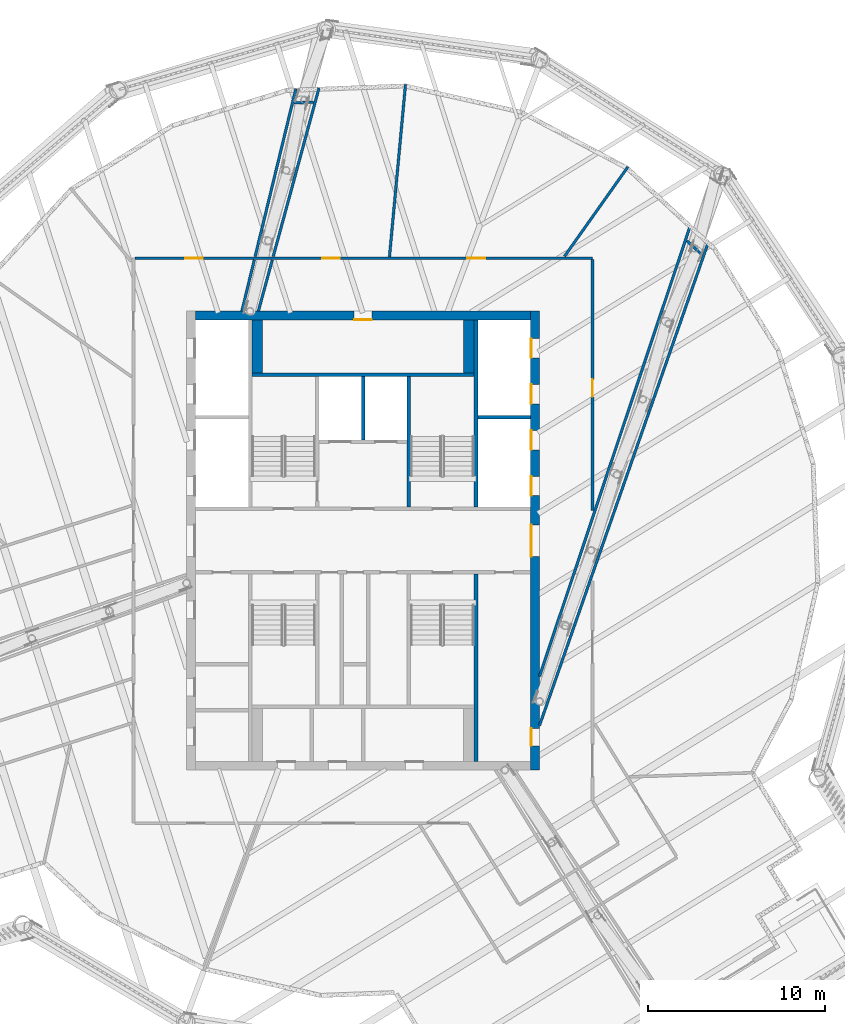
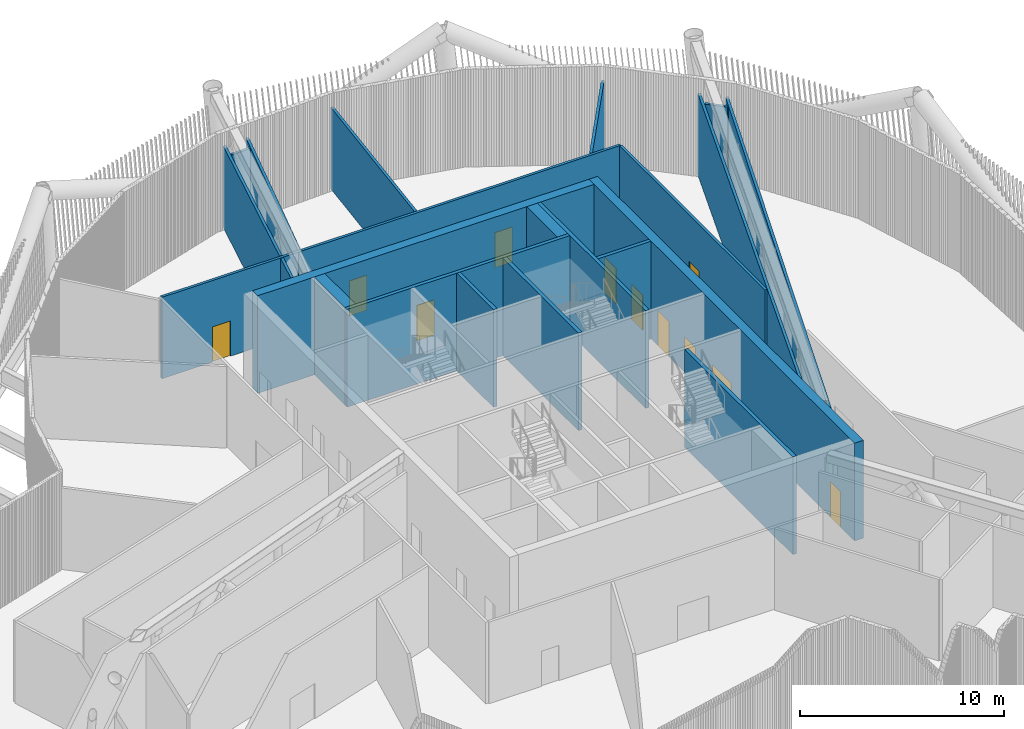
# One storey, part 15 of 40: 22 walls, 11 doors, 11 openings.
"""IFC4 building model written with IfcOpenShell, lengths in metres."""

from ifc_helpers import new_model, si_unit, direction, frame, frame_2d, origin, place, context, subcontext, project, spatial, rectangle, extrude, material, layer, layer_set, type_object, element, fill, save


model = new_model("IFC4")

# Units and contexts
model_context = context("Model", 3, precision=1e-05, world=origin(), true_north=direction((0.0, 1.0)))
body_context = subcontext(model_context, "Body", "Model", "MODEL_VIEW")
ifc_project = project(units=[si_unit("LENGTHUNIT", "METRE"), si_unit("AREAUNIT", "SQUARE_METRE"), si_unit("VOLUMEUNIT", "CUBIC_METRE"), si_unit("PLANEANGLEUNIT", "RADIAN"), si_unit("MASSUNIT", "GRAM", prefix="KILO")], contexts=[model_context])

# Site, building, storey
site_placement = place(None, origin())
site = spatial("IfcSite", under=ifc_project, at=site_placement, CompositionType="ELEMENT")
building_placement = place(site_placement, origin())
building = spatial("IfcBuilding", under=site, at=building_placement, Name="Tarsis Ring Headquarters", CompositionType="ELEMENT")
storey_placement = place(building_placement, frame((0.0, 0.0, 354.800048828125)))
storey = spatial("IfcBuildingStorey", under=building, at=storey_placement, Name="L84", CompositionType="ELEMENT", Elevation=354.800048828125)

# Wall, openings, doors
ifc_material_1 = material(Name="Concrete C50/60", Category="concrete")
ifc_layer_1 = layer(ifc_material_1, 0.5)
ifc_layer_set_1 = layer_set([ifc_layer_1], Name="Core wall 500 C50/60")
wall_type_1 = type_object("IfcWallType", Name="Core wall 500 C50/60", PredefinedType="SHEAR", material=ifc_layer_set_1)
wall_1_placement = place(storey_placement, frame((9.75, -13.0, 0.0), z_axis=(0.0, 0.0, 1.0), x_axis=(0.0, 1.0, 0.0)))
wall_1 = element("IfcWall", 1, at=wall_1_placement, inside=storey, type_object=wall_type_1, Name="Core wall OE", PredefinedType="SHEAR", context=body_context, shape_type="SweptSolid", body=[
    extrude(rectangle(XDim=26.0, YDim=0.5, at=frame_2d((13.0, 0.0))), origin(), (0.0, 0.0, 1.0), 5.83984375),
])
opening_1_placement = place(wall_1_placement, frame((1.3720703125, 0.0, 0.0)))
opening_1 = element("IfcOpeningElement", 2, at=opening_1_placement, cuts=wall_1, Name="Opening L84-C09", PredefinedType="OPENING", context=body_context, shape_type="SweptSolid", body=[
    extrude(rectangle(XDim=1.0, YDim=2.10009765625, at=frame_2d((0.5, 1.050048828125))), frame((0.0, 0.260009765625, 0.0), z_axis=(0.0, -1.0, 0.0), x_axis=(1.0, 0.0, 0.0)), (0.0, 0.0, 1.0), 0.52001953125),
])
opening_2_placement = place(wall_1_placement, frame((12.10009765625, 0.0, 0.0)))
opening_2 = element("IfcOpeningElement", 3, at=opening_2_placement, cuts=wall_1, Name="Opening L84-C10", PredefinedType="OPENING", context=body_context, shape_type="SweptSolid", body=[
    extrude(rectangle(XDim=1.800048828125, YDim=2.10009765625, at=frame_2d((0.89990234375, 1.050048828125))), frame((0.0, 0.260009765625, 0.0), z_axis=(0.0, -1.0, 0.0), x_axis=(1.0, 0.0, 0.0)), (0.0, 0.0, 1.0), 0.52001953125),
])
opening_3_placement = place(wall_1_placement, frame((15.550048828125, 0.0, 0.0)))
opening_3 = element("IfcOpeningElement", 4, at=opening_3_placement, cuts=wall_1, Name="Opening LD-HR5", PredefinedType="OPENING", context=body_context, shape_type="SweptSolid", body=[
    extrude(rectangle(XDim=1.10009765625, YDim=2.10009765625, at=frame_2d((0.550048828125, 1.050048828125))), frame((0.0, 0.260009765625, 0.0), z_axis=(0.0, -1.0, 0.0), x_axis=(1.0, 0.0, 0.0)), (0.0, 0.0, 1.0), 0.52001953125),
])
opening_4_placement = place(wall_1_placement, frame((18.14990234375, 0.0, 0.0)))
opening_4 = element("IfcOpeningElement", 5, at=opening_4_placement, cuts=wall_1, Name="Opening LD-HR6", PredefinedType="OPENING", context=body_context, shape_type="SweptSolid", body=[
    extrude(rectangle(XDim=1.10009765625, YDim=2.10009765625, at=frame_2d((0.550048828125, 1.050048828125))), frame((0.0, 0.260009765625, 0.0), z_axis=(0.0, -1.0, 0.0), x_axis=(1.0, 0.0, 0.0)), (0.0, 0.0, 1.0), 0.52001953125),
])
opening_5_placement = place(wall_1_placement, frame((20.75, 0.0, 0.0)))
opening_5 = element("IfcOpeningElement", 6, at=opening_5_placement, cuts=wall_1, Name="Opening LD-HR7", PredefinedType="OPENING", context=body_context, shape_type="SweptSolid", body=[
    extrude(rectangle(XDim=1.10009765625, YDim=2.10009765625, at=frame_2d((0.550048828125, 1.050048828125))), frame((0.0, 0.260009765625, 0.0), z_axis=(0.0, -1.0, 0.0), x_axis=(1.0, 0.0, 0.0)), (0.0, 0.0, 1.0), 0.52001953125),
])
opening_6_placement = place(wall_1_placement, frame((23.35009765625, 0.0, 0.0)))
opening_6 = element("IfcOpeningElement", 7, at=opening_6_placement, cuts=wall_1, Name="Opening LD-HR8", PredefinedType="OPENING", context=body_context, shape_type="SweptSolid", body=[
    extrude(rectangle(XDim=1.10009765625, YDim=2.10009765625, at=frame_2d((0.550048828125, 1.050048828125))), frame((0.0, 0.260009765625, 0.0), z_axis=(0.0, -1.0, 0.0), x_axis=(1.0, 0.0, 0.0)), (0.0, 0.0, 1.0), 0.52001953125),
])
ifc_material_2 = material(Name="Steel S355", Category="steel")
door_type_1 = type_object("IfcDoorType", Name="Core entry door 1800x2100", OperationType="DOUBLE_DOOR_SINGLE_SWING", PredefinedType="DOOR", material=ifc_material_2)
door_1_placement = place(opening_2_placement, origin())
door_1 = element("IfcDoor", 8, at=door_1_placement, inside=storey, type_object=door_type_1, Name="Core entry door L84", OperationType="DOUBLE_DOOR_SINGLE_SWING", OverallHeight=2.10009765625, OverallWidth=1.800048828125, PredefinedType="DOOR", context=body_context, shape_type="SweptSolid", body=[
    extrude(rectangle(XDim=1.800048828125, YDim=2.10009765625, at=frame_2d((0.89990234375, 1.050048828125))), frame((0.0, 0.25, 0.0), z_axis=(0.0, -1.0, 0.0), x_axis=(1.0, 0.0, 0.0)), (0.0, 0.0, 1.0), 0.050048828125),
])
fill(opening_2, door_1)
door_type_2 = type_object("IfcDoorType", Name="Core room door 1000x2100", OperationType="SINGLE_SWING_LEFT", PredefinedType="DOOR", material=ifc_material_2)
door_2_placement = place(opening_1_placement, origin())
door_2 = element("IfcDoor", 9, at=door_2_placement, inside=storey, type_object=door_type_2, Name="Core room door L84", OperationType="SINGLE_SWING_LEFT", OverallHeight=2.10009765625, OverallWidth=1.0, PredefinedType="DOOR", context=body_context, shape_type="SweptSolid", body=[
    extrude(rectangle(XDim=1.0, YDim=2.10009765625, at=frame_2d((0.5, 1.050048828125))), frame((0.0, 0.25, 0.0), z_axis=(0.0, -1.0, 0.0), x_axis=(1.0, 0.0, 0.0)), (0.0, 0.0, 1.0), 0.050048828125),
])
fill(opening_1, door_2)
door_type_3 = type_object("IfcDoorType", Name="Landing door 1100x2100", OperationType="SLIDING_TO_LEFT", PredefinedType="DOOR", material=ifc_material_2)
door_3_placement = place(opening_3_placement, origin())
door_3 = element("IfcDoor", 10, at=door_3_placement, inside=storey, type_object=door_type_3, Name="Landing door HR5 L84", OperationType="SLIDING_TO_LEFT", OverallHeight=2.10009765625, OverallWidth=1.10009765625, PredefinedType="DOOR", context=body_context, shape_type="SweptSolid", body=[
    extrude(rectangle(XDim=1.10009765625, YDim=2.10009765625, at=frame_2d((0.550048828125, 1.050048828125))), frame((0.0, 0.25, 0.0), z_axis=(0.0, -1.0, 0.0), x_axis=(1.0, 0.0, 0.0)), (0.0, 0.0, 1.0), 0.050048828125),
])
fill(opening_3, door_3)
door_4_placement = place(opening_4_placement, origin())
door_4 = element("IfcDoor", 11, at=door_4_placement, inside=storey, type_object=door_type_3, Name="Landing door HR6 L84", OperationType="SLIDING_TO_LEFT", OverallHeight=2.10009765625, OverallWidth=1.10009765625, PredefinedType="DOOR", context=body_context, shape_type="SweptSolid", body=[
    extrude(rectangle(XDim=1.10009765625, YDim=2.10009765625, at=frame_2d((0.550048828125, 1.050048828125))), frame((0.0, 0.25, 0.0), z_axis=(0.0, -1.0, 0.0), x_axis=(1.0, 0.0, 0.0)), (0.0, 0.0, 1.0), 0.050048828125),
])
fill(opening_4, door_4)
door_5_placement = place(opening_5_placement, origin())
door_5 = element("IfcDoor", 12, at=door_5_placement, inside=storey, type_object=door_type_3, Name="Landing door HR7 L84", OperationType="SLIDING_TO_LEFT", OverallHeight=2.10009765625, OverallWidth=1.10009765625, PredefinedType="DOOR", context=body_context, shape_type="SweptSolid", body=[
    extrude(rectangle(XDim=1.10009765625, YDim=2.10009765625, at=frame_2d((0.550048828125, 1.050048828125))), frame((0.0, 0.25, 0.0), z_axis=(0.0, -1.0, 0.0), x_axis=(1.0, 0.0, 0.0)), (0.0, 0.0, 1.0), 0.050048828125),
])
fill(opening_5, door_5)
door_6_placement = place(opening_6_placement, origin())
door_6 = element("IfcDoor", 13, at=door_6_placement, inside=storey, type_object=door_type_3, Name="Landing door HR8 L84", OperationType="SLIDING_TO_LEFT", OverallHeight=2.10009765625, OverallWidth=1.10009765625, PredefinedType="DOOR", context=body_context, shape_type="SweptSolid", body=[
    extrude(rectangle(XDim=1.10009765625, YDim=2.10009765625, at=frame_2d((0.550048828125, 1.050048828125))), frame((0.0, 0.25, 0.0), z_axis=(0.0, -1.0, 0.0), x_axis=(1.0, 0.0, 0.0)), (0.0, 0.0, 1.0), 0.050048828125),
])
fill(opening_6, door_6)

# Wall, opening, door
wall_2_placement = place(storey_placement, frame((-9.5, 12.75, 0.0), z_axis=(0.0, 0.0, 1.0), x_axis=(1.0, 0.0, 0.0)))
wall_2 = element("IfcWall", 14, at=wall_2_placement, inside=storey, type_object=wall_type_1, Name="Core wall ON", PredefinedType="SHEAR", context=body_context, shape_type="SweptSolid", body=[
    extrude(rectangle(XDim=19.0, YDim=0.5, at=frame_2d((9.5, 0.0))), origin(), (0.0, 0.0, 1.0), 5.83984375),
])
opening_7_placement = place(wall_2_placement, frame((9.0, 0.0, 0.0)))
opening_7 = element("IfcOpeningElement", 15, at=opening_7_placement, cuts=wall_2, Name="Opening L84-C15", PredefinedType="OPENING", context=body_context, shape_type="SweptSolid", body=[
    extrude(rectangle(XDim=1.0, YDim=2.10009765625, at=frame_2d((0.5, 1.050048828125))), frame((0.0, 0.260009765625, 0.0), z_axis=(0.0, -1.0, 0.0), x_axis=(1.0, 0.0, 0.0)), (0.0, 0.0, 1.0), 0.52001953125),
])
door_7_placement = place(opening_7_placement, origin())
door_7 = element("IfcDoor", 16, at=door_7_placement, inside=storey, type_object=door_type_2, Name="Core room door L84", OperationType="SINGLE_SWING_LEFT", OverallHeight=2.10009765625, OverallWidth=1.0, PredefinedType="DOOR", context=body_context, shape_type="SweptSolid", body=[
    extrude(rectangle(XDim=1.0, YDim=2.10009765625, at=frame_2d((0.5, 1.050048828125))), frame((0.0, -0.2001953125, 0.0), z_axis=(0.0, -1.0, 0.0), x_axis=(1.0, 0.0, 0.0)), (0.0, 0.0, 1.0), 0.050048828125),
])
fill(opening_7, door_7)

# Walls
ifc_material_3 = material(Name="Gypsum board on steel studs", Category="steel")
ifc_layer_2 = layer(ifc_material_3, 0.14990234375)
ifc_layer_set_2 = layer_set([ifc_layer_2], Name="FL partition 150 EI 120 H4870")
wall_type_2 = type_object("IfcWallType", Name="FL partition 150 EI 120 H4870", PredefinedType="PARTITIONING", material=ifc_layer_set_2)
wall_3_placement = place(storey_placement, frame((9.998291015625, -10.4638671875, 0.0), z_axis=(0.0, 0.0, 1.0), x_axis=(0.329819524499, 0.944044003879, 0.0)))
element("IfcWall", 17, at=wall_3_placement, inside=storey, type_object=wall_type_2, Name="Partition PW2H487", PredefinedType="PARTITIONING", context=body_context, shape_type="SweptSolid", body=[
    extrude(rectangle(XDim=29.0078125, YDim=0.14990234375, at=frame_2d((14.50390625, 0.0))), origin(), (0.0, 0.0, 1.0), 4.869873046875),
])
wall_4_placement = place(storey_placement, frame((10.000244140625, -7.68115234375, 0.0), z_axis=(0.0, 0.0, 1.0), x_axis=(0.317146567851, 0.948376536245, 0.0)))
element("IfcWall", 18, at=wall_4_placement, inside=storey, type_object=wall_type_2, Name="Partition PW2H487", PredefinedType="PARTITIONING", context=body_context, shape_type="SweptSolid", body=[
    extrude(rectangle(XDim=26.939208984375, YDim=0.14990234375, at=frame_2d((13.4697265625, 0.0))), origin(), (0.0, 0.0, 1.0), 4.869873046875),
])

# Wall, openings, doors
wall_5_placement = place(storey_placement, frame((-12.919921875, 16.0, 0.0), z_axis=(0.0, 0.0, 1.0), x_axis=(1.0, 0.0, 0.0)))
wall_5 = element("IfcWall", 19, at=wall_5_placement, inside=storey, type_object=wall_type_2, Name="Partition PW2H487", PredefinedType="PARTITIONING", context=body_context, shape_type="SweptSolid", body=[
    extrude(rectangle(XDim=25.919921875, YDim=0.14990234375, at=frame_2d((12.9599609375, 0.0))), origin(), (0.0, 0.0, 1.0), 4.869873046875),
])
opening_8_placement = place(wall_5_placement, frame((2.85302734375, 0.0, 0.0)))
opening_8 = element("IfcOpeningElement", 20, at=opening_8_placement, cuts=wall_5, Name="Opening D84.06", PredefinedType="OPENING", context=body_context, shape_type="SweptSolid", body=[
    extrude(rectangle(XDim=1.0, YDim=2.10009765625, at=frame_2d((0.5, 1.050048828125))), frame((0.0, 0.0849609375, 0.0), z_axis=(0.0, -1.0, 0.0), x_axis=(1.0, 0.0, 0.0)), (0.0, 0.0, 1.0), 0.169921875),
])
opening_9_placement = place(wall_5_placement, frame((18.83349609375, 0.0, 0.0)))
opening_9 = element("IfcOpeningElement", 21, at=opening_9_placement, cuts=wall_5, Name="Opening D84.07", PredefinedType="OPENING", context=body_context, shape_type="SweptSolid", body=[
    extrude(rectangle(XDim=1.0, YDim=2.10009765625, at=frame_2d((0.5, 1.050048828125))), frame((0.0, 0.0849609375, 0.0), z_axis=(0.0, -1.0, 0.0), x_axis=(1.0, 0.0, 0.0)), (0.0, 0.0, 1.0), 0.169921875),
])
opening_10_placement = place(wall_5_placement, frame((10.605712890625, 0.0, 0.0)))
opening_10 = element("IfcOpeningElement", 22, at=opening_10_placement, cuts=wall_5, Name="Opening D84.09", PredefinedType="OPENING", context=body_context, shape_type="SweptSolid", body=[
    extrude(rectangle(XDim=1.0, YDim=2.10009765625, at=frame_2d((0.5, 1.050048828125))), frame((0.0, 0.0849609375, 0.0), z_axis=(0.0, -1.0, 0.0), x_axis=(1.0, 0.0, 0.0)), (0.0, 0.0, 1.0), 0.169921875),
])
ifc_material_4 = material(Name="Fire-rated timber door leaf in steel frame", Category="steel")
door_type_4 = type_object("IfcDoorType", Name="FL door FD120-1000", OperationType="NOTDEFINED", PredefinedType="DOOR", material=ifc_material_4)
door_8_placement = place(opening_8_placement, origin())
door_8 = element("IfcDoor", 23, at=door_8_placement, inside=storey, type_object=door_type_4, Name="Door D84.06", OperationType="SINGLE_SWING_RIGHT", OverallHeight=2.10009765625, OverallWidth=1.0, PredefinedType="DOOR", context=body_context, shape_type="SweptSolid", body=[
    extrude(rectangle(XDim=1.0, YDim=2.10009765625, at=frame_2d((0.5, 1.050048828125))), frame((0.0, 0.02490234375, 0.0), z_axis=(0.0, -1.0, 0.0), x_axis=(1.0, 0.0, 0.0)), (0.0, 0.0, 1.0), 0.050048828125),
])
fill(opening_8, door_8)
door_9_placement = place(opening_9_placement, origin())
door_9 = element("IfcDoor", 24, at=door_9_placement, inside=storey, type_object=door_type_4, Name="Door D84.07", OperationType="SINGLE_SWING_LEFT", OverallHeight=2.10009765625, OverallWidth=1.0, PredefinedType="DOOR", context=body_context, shape_type="SweptSolid", body=[
    extrude(rectangle(XDim=1.0, YDim=2.10009765625, at=frame_2d((0.5, 1.050048828125))), frame((0.0, 0.02490234375, 0.0), z_axis=(0.0, -1.0, 0.0), x_axis=(1.0, 0.0, 0.0)), (0.0, 0.0, 1.0), 0.050048828125),
])
fill(opening_9, door_9)
door_10_placement = place(opening_10_placement, origin())
door_10 = element("IfcDoor", 25, at=door_10_placement, inside=storey, type_object=door_type_4, Name="Door D84.09", OperationType="SINGLE_SWING_LEFT", OverallHeight=2.10009765625, OverallWidth=1.0, PredefinedType="DOOR", context=body_context, shape_type="SweptSolid", body=[
    extrude(rectangle(XDim=1.0, YDim=2.10009765625, at=frame_2d((0.5, 1.050048828125))), frame((0.0, 0.02490234375, 0.0), z_axis=(0.0, -1.0, 0.0), x_axis=(1.0, 0.0, 0.0)), (0.0, 0.0, 1.0), 0.050048828125),
])
fill(opening_10, door_10)

# Wall, opening, door
wall_6_placement = place(storey_placement, frame((13.0, 1.719970703125, 0.0), z_axis=(0.0, 0.0, 1.0), x_axis=(0.0, 1.0, 0.0)))
wall_6 = element("IfcWall", 26, at=wall_6_placement, inside=storey, type_object=wall_type_2, Name="Partition PW2H487", PredefinedType="PARTITIONING", context=body_context, shape_type="SweptSolid", body=[
    extrude(rectangle(XDim=14.199951171875, YDim=0.14990234375, at=frame_2d((7.10009765625, 0.0))), origin(), (0.0, 0.0, 1.0), 4.869873046875),
])
opening_11_placement = place(wall_6_placement, frame((6.425048828125, 0.0, 0.0)))
opening_11 = element("IfcOpeningElement", 27, at=opening_11_placement, cuts=wall_6, Name="Opening D84.08", PredefinedType="OPENING", context=body_context, shape_type="SweptSolid", body=[
    extrude(rectangle(XDim=1.0, YDim=2.10009765625, at=frame_2d((0.5, 1.050048828125))), frame((0.0, 0.0849609375, 0.0), z_axis=(0.0, -1.0, 0.0), x_axis=(1.0, 0.0, 0.0)), (0.0, 0.0, 1.0), 0.169921875),
])
door_11_placement = place(opening_11_placement, origin())
door_11 = element("IfcDoor", 28, at=door_11_placement, inside=storey, type_object=door_type_4, Name="Door D84.08", OperationType="SINGLE_SWING_RIGHT", OverallHeight=2.10009765625, OverallWidth=1.0, PredefinedType="DOOR", context=body_context, shape_type="SweptSolid", body=[
    extrude(rectangle(XDim=1.0, YDim=2.10009765625, at=frame_2d((0.5, 1.050048828125))), frame((0.0, 0.02490234375, 0.0), z_axis=(0.0, -1.0, 0.0), x_axis=(1.0, 0.0, 0.0)), (0.0, 0.0, 1.0), 0.050048828125),
])
fill(opening_11, door_11)

# Walls
wall_7_placement = place(storey_placement, frame((-5.929443359375, 12.998779296875, 0.0), z_axis=(0.0, 0.0, 1.0), x_axis=(0.262150157625, 0.965027095401, 0.0)))
element("IfcWall", 29, at=wall_7_placement, inside=storey, type_object=wall_type_2, Name="Partition PW2H487", PredefinedType="PARTITIONING", context=body_context, shape_type="SweptSolid", body=[
    extrude(rectangle(XDim=3.01171875, YDim=0.14990234375, at=frame_2d((1.505859375, 0.0))), origin(), (0.0, 0.0, 1.0), 4.869873046875),
])
wall_8_placement = place(storey_placement, frame((-5.08837890625, 16.0947265625, 0.0), z_axis=(0.0, 0.0, 1.0), x_axis=(0.262154551753, 0.965025901722, 0.0)))
element("IfcWall", 30, at=wall_8_placement, inside=storey, type_object=wall_type_2, Name="Partition PW2H487", PredefinedType="PARTITIONING", context=body_context, shape_type="SweptSolid", body=[
    extrude(rectangle(XDim=9.89208984375, YDim=0.14990234375, at=frame_2d((4.946044921875, 0.0))), origin(), (0.0, 0.0, 1.0), 4.869873046875),
])
wall_9_placement = place(storey_placement, frame((-6.864501953125, 13.000244140625, 0.0), z_axis=(0.0, 0.0, 1.0), x_axis=(0.236174569525, 0.97171064248, 0.0)))
element("IfcWall", 31, at=wall_9_placement, inside=storey, type_object=wall_type_2, Name="Partition PW2H487", PredefinedType="PARTITIONING", context=body_context, shape_type="SweptSolid", body=[
    extrude(rectangle(XDim=2.99169921875, YDim=0.14990234375, at=frame_2d((1.495849609375, 0.0))), origin(), (0.0, 0.0, 1.0), 4.869873046875),
])
wall_10_placement = place(storey_placement, frame((-6.11279296875, 16.0927734375, 0.0), z_axis=(0.0, 0.0, 1.0), x_axis=(0.23610309079, 0.971728012625, 0.0)))
element("IfcWall", 32, at=wall_10_placement, inside=storey, type_object=wall_type_2, Name="Partition PW2H487", PredefinedType="PARTITIONING", context=body_context, shape_type="SweptSolid", body=[
    extrude(rectangle(XDim=9.77783203125, YDim=0.14990234375, at=frame_2d((4.888916015625, 0.0))), origin(), (0.0, 0.0, 1.0), 4.869873046875),
])
wall_11_placement = place(storey_placement, frame((1.497314453125, 16.07958984375, 0.0), z_axis=(0.0, 0.0, 1.0), x_axis=(0.092710111491, 0.995693143106, 0.0)))
element("IfcWall", 33, at=wall_11_placement, inside=storey, type_object=wall_type_2, Name="Partition PW2H487", PredefinedType="PARTITIONING", context=body_context, shape_type="SweptSolid", body=[
    extrude(rectangle(XDim=9.798828125, YDim=0.14990234375, at=frame_2d((4.8994140625, 0.0))), origin(), (0.0, 0.0, 1.0), 4.869873046875),
])
wall_12_placement = place(storey_placement, frame((11.412109375, 16.106201171875, 0.0), z_axis=(0.0, 0.0, 1.0), x_axis=(0.578168986509, 0.815917044214, 0.0)))
element("IfcWall", 34, at=wall_12_placement, inside=storey, type_object=wall_type_2, Name="Partition PW2H487", PredefinedType="PARTITIONING", context=body_context, shape_type="SweptSolid", body=[
    extrude(rectangle(XDim=6.20849609375, YDim=0.14990234375, at=frame_2d((3.104248046875, 0.0))), origin(), (0.0, 0.0, 1.0), 4.869873046875),
])
wall_13_placement = place(storey_placement, frame((18.353759765625, 16.980224609375, 0.0), z_axis=(0.0, 0.0, 1.0), x_axis=(0.733578397781, -0.679604836879, 0.0)))
element("IfcWall", 35, at=wall_13_placement, inside=storey, type_object=wall_type_2, Name="Partition PW2H487", PredefinedType="PARTITIONING", context=body_context, shape_type="SweptSolid", body=[
    extrude(rectangle(XDim=1.16259765625, YDim=0.14990234375, at=frame_2d((0.581298828125, 0.0))), origin(), (0.0, 0.0, 1.0), 4.869873046875),
])
wall_14_placement = place(storey_placement, frame((-3.907470703125, 24.79931640625, 0.0), z_axis=(0.0, 0.0, 1.0), x_axis=(0.999273558946, 0.038109767658, 0.0)))
element("IfcWall", 36, at=wall_14_placement, inside=storey, type_object=wall_type_2, Name="Partition PW2H487", PredefinedType="PARTITIONING", context=body_context, shape_type="SweptSolid", body=[
    extrude(rectangle(XDim=1.101806640625, YDim=0.14990234375, at=frame_2d((0.55078125, 0.0))), origin(), (0.0, 0.0, 1.0), 4.869873046875),
])
ifc_material_5 = material(Name="Concrete C32/40", Category="concrete")
ifc_layer_3 = layer(ifc_material_5, 0.60009765625)
ifc_layer_set_3 = layer_set([ifc_layer_3], Name="Shaft end wall 600 C32/40")
wall_type_3 = type_object("IfcWallType", Name="Shaft end wall 600 C32/40", PredefinedType="SOLIDWALL", material=ifc_layer_set_3)
for number, where, z_axis, x_axis, name in (
    (37, (-6.0, 9.5, 0.0), (0.0, 0.0, 1.0), (0.0, 1.0, 0.0), "Core shaft wall NNE1"),
    (38, (6.0, 9.5, 0.0), (0.0, 0.0, 1.0), (0.0, 1.0, 0.0), "Core shaft wall NNE2"),
):
    element("IfcWall", number, at=place(storey_placement, frame(where, z_axis=z_axis, x_axis=x_axis)), inside=storey, type_object=wall_type_3, Name=name, PredefinedType="SOLIDWALL", context=body_context, shape_type="SweptSolid", body=[
        extrude(rectangle(XDim=3.0, YDim=0.60009765625, at=frame_2d((1.5, 0.0))), origin(), (0.0, 0.0, 1.0), 5.83984375),
    ])
ifc_layer_4 = layer(ifc_material_5, 0.199951171875)
ifc_layer_set_4 = layer_set([ifc_layer_4], Name="Shaft wall 200 C32/40")
wall_type_4 = type_object("IfcWallType", Name="Shaft wall 200 C32/40", PredefinedType="SOLIDWALL", material=ifc_layer_set_4)
for number, where, z_axis, x_axis, name in (
    (39, (6.39990234375, -12.5, 0.0), (0.0, 0.0, 1.0), (0.0, 1.0, 0.0), "Core shaft wall EB1"),
    (40, (6.39990234375, 1.89990234375, 0.0), (0.0, 0.0, 1.0), (0.0, 1.0, 0.0), "Core shaft wall EB2"),
):
    element("IfcWall", number, at=place(storey_placement, frame(where, z_axis=z_axis, x_axis=x_axis)), inside=storey, type_object=wall_type_4, Name=name, PredefinedType="SOLIDWALL", context=body_context, shape_type="SweptSolid", body=[
        extrude(rectangle(XDim=10.60009765625, YDim=0.199951171875, at=frame_2d((5.300048828125, 0.0))), origin(), (0.0, 0.0, 1.0), 5.83984375),
    ])
wall_15_placement = place(storey_placement, frame((-6.300048828125, 9.39990234375, 0.0), z_axis=(0.0, 0.0, 1.0), x_axis=(1.0, 0.0, 0.0)))
element("IfcWall", 41, at=wall_15_placement, inside=storey, type_object=wall_type_4, Name="Core shaft wall NB", PredefinedType="SOLIDWALL", context=body_context, shape_type="SweptSolid", body=[
    extrude(rectangle(XDim=12.60009765625, YDim=0.199951171875, at=frame_2d((6.300048828125, 0.0))), origin(), (0.0, 0.0, 1.0), 5.83984375),
])
wall_16_placement = place(storey_placement, frame((2.60009765625, 1.89990234375, 0.0), z_axis=(0.0, 0.0, 1.0), x_axis=(0.0, 1.0, 0.0)))
element("IfcWall", 42, at=wall_16_placement, inside=storey, type_object=wall_type_4, Name="Core shaft wall SW2", PredefinedType="SOLIDWALL", context=body_context, shape_type="SweptSolid", body=[
    extrude(rectangle(XDim=7.400146484375, YDim=0.199951171875, at=frame_2d((3.7001953125, 0.0))), origin(), (0.0, 0.0, 1.0), 5.83984375),
])
wall_17_placement = place(storey_placement, frame((0.0, 5.699951171875, 0.0), z_axis=(0.0, 0.0, 1.0), x_axis=(0.0, 1.0, 0.0)))
element("IfcWall", 43, at=wall_17_placement, inside=storey, type_object=wall_type_4, Name="Core shaft wall FFD", PredefinedType="SOLIDWALL", context=body_context, shape_type="SweptSolid", body=[
    extrude(rectangle(XDim=3.60009765625, YDim=0.199951171875, at=frame_2d((1.800048828125, 0.0))), origin(), (0.0, 0.0, 1.0), 5.83984375),
])
wall_18_placement = place(storey_placement, frame((6.5, 7.0, 0.0), z_axis=(0.0, 0.0, 1.0), x_axis=(1.0, 0.0, 0.0)))
element("IfcWall", 44, at=wall_18_placement, inside=storey, type_object=wall_type_4, Name="Core shaft wall ED6", PredefinedType="SOLIDWALL", context=body_context, shape_type="SweptSolid", body=[
    extrude(rectangle(XDim=3.0, YDim=0.199951171875, at=frame_2d((1.5, 0.0))), origin(), (0.0, 0.0, 1.0), 5.83984375),
])

save(model, "model.ifc")
